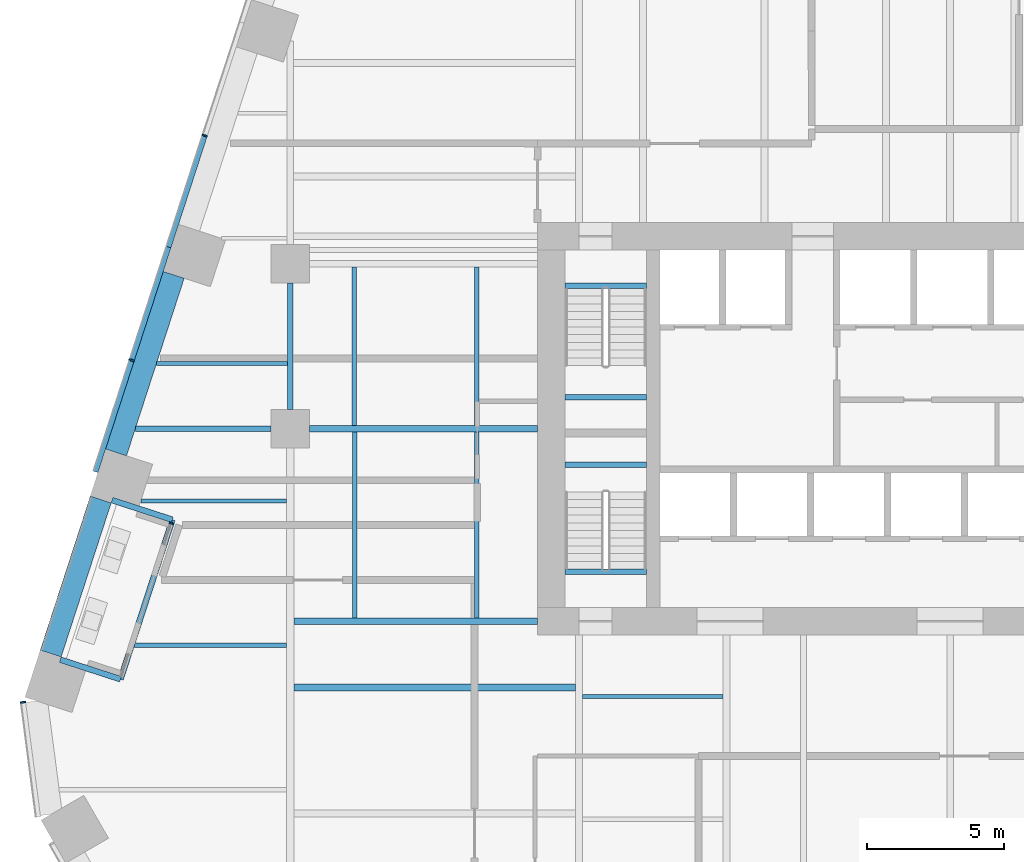
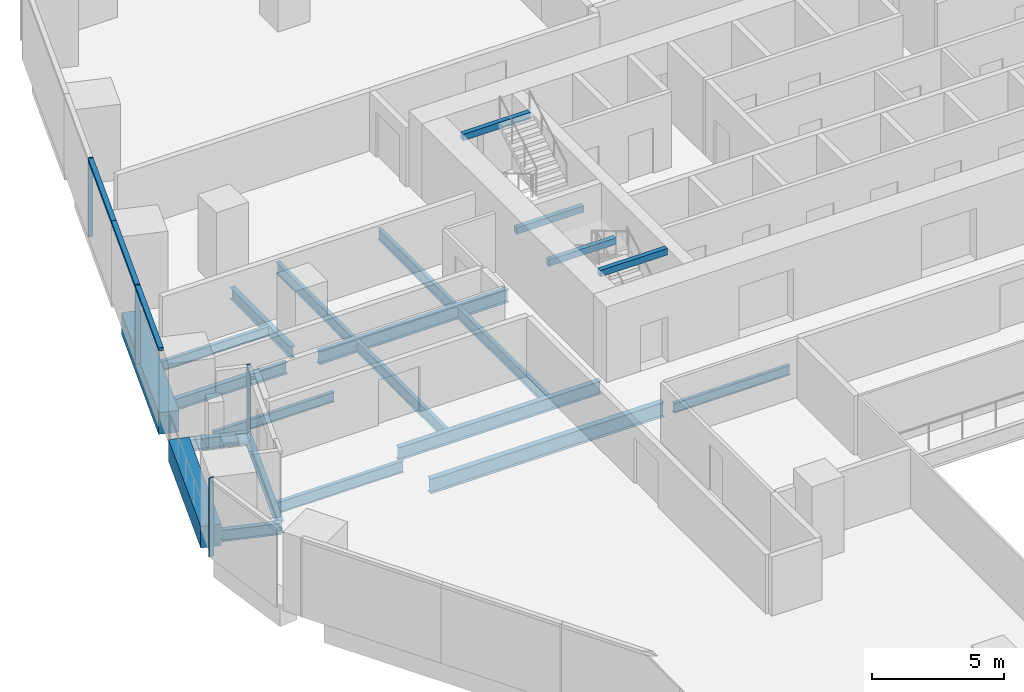
# One storey, part 9 of 31: 22 beams, 7 members, 3 elements without a shape of their own.
"""IFC4 building model written with IfcOpenShell, lengths in metres."""

from ifc_helpers import new_model, si_unit, direction, frame, origin, origin_2d, place, context, subcontext, project, spatial, rectangle, i_section, extrude, material, layer, layer_set, material_profile, profile_set, type_object, element, aggregate, save


model = new_model("IFC4")

# Units and contexts
model_context = context("Model", 3, precision=1e-05, world=origin(), true_north=direction((0.0, 1.0)))
body_context = subcontext(model_context, "Body", "Model", "MODEL_VIEW")
ifc_project = project(units=[si_unit("LENGTHUNIT", "METRE"), si_unit("AREAUNIT", "SQUARE_METRE"), si_unit("VOLUMEUNIT", "CUBIC_METRE"), si_unit("PLANEANGLEUNIT", "RADIAN"), si_unit("MASSUNIT", "GRAM", prefix="KILO")], contexts=[model_context])

# Site, building, storey
site_placement = place(None, origin())
site = spatial("IfcSite", under=ifc_project, at=site_placement, CompositionType="ELEMENT")
building_placement = place(site_placement, origin())
building = spatial("IfcBuilding", under=site, at=building_placement, Name="Isthmus Gate Tower", CompositionType="ELEMENT")
storey_placement = place(building_placement, frame((0.0, 0.0, 54.25)))
storey = spatial("IfcBuildingStorey", under=building, at=storey_placement, Name="L11", CompositionType="ELEMENT", Elevation=54.25)

# Curtain wall, members
ifc_material_1 = material(Name="Aluminium, pale champagne anodised", Category="aluminium")
ifc_layer_1 = layer(ifc_material_1, 0.199951171875)
ifc_layer_set_1 = layer_set([ifc_layer_1], Name="CW-1 UNITISED CURTAIN WALL 200 DEEP")
curtain_wall_type_1 = type_object("IfcCurtainWallType", Name="CW-1 UNITISED CURTAIN WALL 200 DEEP", PredefinedType="NOTDEFINED", material=ifc_layer_set_1)
curtain_wall_1_placement = place(storey_placement, origin())
curtain_wall_1 = element("IfcCurtainWall", 1, at=curtain_wall_1_placement, inside=storey, type_object=curtain_wall_type_1, Name="CW-1 NW L11", PredefinedType="NOTDEFINED")
ifc_material_2 = material(Name="Aluminium, pale champagne anodised", Category="aluminium")
ifc_material_profile_1 = material_profile(ifc_material_2, rectangle(XDim=0.06005859375, YDim=0.199951171875, at=origin_2d()), Name="60x200")
ifc_profile_set_1 = profile_set([ifc_material_profile_1], Name="Aluminium, pale champagne anodised")
member_type_1 = type_object("IfcMemberType", Name="CW-1 MULLION 60 X 200", PredefinedType="MULLION", material=ifc_profile_set_1)
member_1_placement = place(storey_placement, frame((-27.11474609375, 18.163818359375, 0.0), z_axis=(0.0, 0.0, 1.0), x_axis=(-0.309016994375, -0.951056516295, 0.0)))
member_1 = element("IfcMember", 2, at=member_1_placement, type_object=member_type_1, Name="CW-1 mullion", PredefinedType="MULLION", context=body_context, shape_type="SweptSolid", body=[
    extrude(rectangle(XDim=0.06005859375, YDim=0.199951171875, at=origin_2d()), origin(), (0.0, 0.0, 1.0), 3.64990234375),
])
member_2_placement = place(storey_placement, frame((-29.76904296875, 9.994873046875, 0.0), z_axis=(0.0, 0.0, 1.0), x_axis=(-0.309016994375, -0.951056516295, 0.0)))
member_2 = element("IfcMember", 3, at=member_2_placement, type_object=member_type_1, Name="CW-1 mullion", PredefinedType="MULLION", context=body_context, shape_type="SweptSolid", body=[
    extrude(rectangle(XDim=0.06005859375, YDim=0.199951171875, at=origin_2d()), origin(), (0.0, 0.0, 1.0), 3.64990234375),
])

# Curtain wall, member
curtain_wall_2_placement = place(storey_placement, origin())
curtain_wall_2 = element("IfcCurtainWall", 4, at=curtain_wall_2_placement, inside=storey, type_object=curtain_wall_type_1, Name="CW-1 NW-SW L11", PredefinedType="NOTDEFINED")
member_3_placement = place(storey_placement, frame((-33.722900390625, -2.44482421875, 0.0), z_axis=(0.0, 0.0, 1.0), x_axis=(0.129164534, -0.991623175988, 0.0)))
member_3 = element("IfcMember", 5, at=member_3_placement, type_object=member_type_1, Name="CW-1 mullion", PredefinedType="MULLION", context=body_context, shape_type="SweptSolid", body=[
    extrude(rectangle(XDim=0.06005859375, YDim=0.199951171875, at=origin_2d()), origin(), (0.0, 0.0, 1.0), 3.64990234375),
])
aggregate(curtain_wall_2, [member_3])

# Member
ifc_material_3 = material(Name="Aluminium, pale champagne anodised", Category="aluminium")
ifc_material_profile_2 = material_profile(ifc_material_3, rectangle(XDim=0.199951171875, YDim=0.14990234375, at=origin_2d()), Name="200x150")
ifc_profile_set_2 = profile_set([ifc_material_profile_2], Name="Aluminium, pale champagne anodised")
member_type_2 = type_object("IfcMemberType", Name="CW-1 TRANSOM 200 X 150", PredefinedType="USERDEFINED", material=ifc_profile_set_2)
member_4_placement = place(storey_placement, frame((-27.1240234375, 18.13525390625, 3.574951171875), z_axis=(-0.309023496777, -0.951054403512, 0.0), x_axis=(0.951054403512, -0.309023496777, 0.0)))
member_4 = element("IfcMember", 6, at=member_4_placement, type_object=member_type_2, Name="CW-1 transom", ObjectType="TRANSOM", PredefinedType="USERDEFINED", context=body_context, shape_type="SweptSolid", body=[
    extrude(rectangle(XDim=0.199951171875, YDim=0.14990234375, at=origin_2d()), origin(), (0.0, 0.0, 1.0), 4.234619140625),
])

member_5_placement = place(storey_placement, frame((-28.4326171875, 14.10791015625, 3.574951171875), z_axis=(-0.309021801109, -0.951054954479, 0.0), x_axis=(0.951054954479, -0.309021801109, 0.0)))
member_5 = element("IfcMember", 7, at=member_5_placement, type_object=member_type_2, Name="CW-1 transom", ObjectType="TRANSOM", PredefinedType="USERDEFINED", context=body_context, shape_type="SweptSolid", body=[
    extrude(rectangle(XDim=0.199951171875, YDim=0.14990234375, at=origin_2d()), origin(), (0.0, 0.0, 1.0), 4.294677734375),
])

member_6_placement = place(storey_placement, frame((-29.7783203125, 9.96630859375, 3.574951171875), z_axis=(-0.309023496777, -0.951054403512, 0.0), x_axis=(0.951054403512, -0.309023496777, 0.0)))
member_6 = element("IfcMember", 8, at=member_6_placement, type_object=member_type_2, Name="CW-1 transom", ObjectType="TRANSOM", PredefinedType="USERDEFINED", context=body_context, shape_type="SweptSolid", body=[
    extrude(rectangle(XDim=0.199951171875, YDim=0.14990234375, at=origin_2d()), origin(), (0.0, 0.0, 1.0), 4.234619140625),
])

aggregate(curtain_wall_1, [member_1, member_4, member_5, member_2, member_6])

# Curtain wall, member
ifc_material_4 = material(Name="Aluminium, pale champagne anodised", Category="aluminium")
ifc_layer_2 = layer(ifc_material_4, 0.14990234375)
ifc_layer_set_2 = layer_set([ifc_layer_2], Name="CW-6 LOGGIA BACK WALL GLAZING 150 DEEP")
curtain_wall_type_2 = type_object("IfcCurtainWallType", Name="CW-6 LOGGIA BACK WALL GLAZING 150 DEEP", PredefinedType="NOTDEFINED", material=ifc_layer_set_2)
curtain_wall_3_placement = place(storey_placement, origin())
curtain_wall_3 = element("IfcCurtainWall", 9, at=curtain_wall_3_placement, inside=storey, type_object=curtain_wall_type_2, Name="CW-6 NW L11", PredefinedType="NOTDEFINED")
ifc_material_5 = material(Name="Aluminium, pale champagne anodised", Category="aluminium")
ifc_material_profile_3 = material_profile(ifc_material_5, rectangle(XDim=0.06005859375, YDim=0.14990234375, at=origin_2d()), Name="60x150")
ifc_profile_set_3 = profile_set([ifc_material_profile_3], Name="Aluminium, pale champagne anodised")
member_type_3 = type_object("IfcMemberType", Name="CW-6 MULLION 60 X 150", PredefinedType="MULLION", material=ifc_profile_set_3)
member_7_placement = place(storey_placement, frame((-28.3310546875, 4.065673828125, 0.0), z_axis=(0.0, 0.0, 1.0), x_axis=(-0.309016994375, -0.951056516295, 0.0)))
member_7 = element("IfcMember", 10, at=member_7_placement, type_object=member_type_3, Name="CW-6 mullion", PredefinedType="MULLION", context=body_context, shape_type="SweptSolid", body=[
    extrude(rectangle(XDim=0.06005859375, YDim=0.14990234375, at=origin_2d()), origin(), (0.0, 0.0, 1.0), 3.050048828125),
])
aggregate(curtain_wall_3, [member_7])

# Beams
ifc_material_6 = material(Name="Concrete f'c 70 MPa", Category="concrete")
ifc_material_profile_4 = material_profile(ifc_material_6, rectangle(XDim=0.800048828125, YDim=1.0, at=origin_2d()), Name="RC 800X1000")
ifc_profile_set_4 = profile_set([ifc_material_profile_4], Name="Concrete f'c 70 MPa")
beam_type_1 = type_object("IfcBeamType", Name="RC SPANDREL 800 X 1000", PredefinedType="SPANDREL", material=ifc_profile_set_4)
beam_1_placement = place(storey_placement, frame((-32.70947265625, -0.672607421875, -0.5), z_axis=(0.309005457803, 0.951060264677, 0.0), x_axis=(-0.951060264677, 0.309005457803, 0.0)))
element("IfcBeam", 11, at=beam_1_placement, inside=storey, type_object=beam_type_1, Name="str-spandrel-L11-18", PredefinedType="SPANDREL", context=body_context, shape_type="SweptSolid", body=[
    extrude(rectangle(XDim=0.800048828125, YDim=1.0, at=origin_2d()), origin(), (0.0, 0.0, 1.0), 5.889404296875),
])
beam_2_placement = place(storey_placement, frame((-30.333251953125, 6.640380859375, -0.5), z_axis=(0.30900150794, 0.951061548004, 0.0), x_axis=(-0.951061548004, 0.30900150794, 0.0)))
element("IfcBeam", 12, at=beam_2_placement, inside=storey, type_object=beam_type_1, Name="str-spandrel-L11-19", PredefinedType="SPANDREL", context=body_context, shape_type="SweptSolid", body=[
    extrude(rectangle(XDim=0.800048828125, YDim=1.0, at=origin_2d()), origin(), (0.0, 0.0, 1.0), 6.789306640625),
])
ifc_material_7 = material(Name="Concrete f'c 40 MPa", Category="concrete")
ifc_material_profile_5 = material_profile(ifc_material_7, rectangle(XDim=0.199951171875, YDim=0.300048828125, at=origin_2d()), Name="STAIR LANDING BEAM RC 200 X 300")
ifc_profile_set_5 = profile_set([ifc_material_profile_5], Name="Concrete f'c 40 MPa")
beam_type_2 = type_object("IfcBeamType", Name="STAIR LANDING BEAM RC 200 X 300", PredefinedType="BEAM", material=ifc_profile_set_5)
for number, where, z_axis, x_axis, name in (
    (13, (-14.0, 8.64990234375, 1.47509765625), (1.0, 0.0, 0.0), (0.0, 1.0, 0.0), "L11 ST1 landing beam 1"),
    (14, (-14.0, 12.7001953125, 3.35009765625), (1.0, 0.0, 0.0), (0.0, 1.0, 0.0), "L11 ST1 floor-edge seat beam"),
    (15, (-14.0, 6.199951171875, 1.47509765625), (1.0, 0.0, 0.0), (0.0, 1.0, 0.0), "L11 ST7 landing beam 1"),
    (16, (-14.0, 2.2998046875, 3.35009765625), (1.0, 0.0, 0.0), (0.0, 1.0, 0.0), "L11 ST7 floor-edge seat beam"),
):
    element("IfcBeam", number, at=place(storey_placement, frame(where, z_axis=z_axis, x_axis=x_axis)), inside=storey, type_object=beam_type_2, Name=name, PredefinedType="BEAM", context=body_context, shape_type="SweptSolid", body=[
        extrude(rectangle(XDim=0.199951171875, YDim=0.300048828125, at=origin_2d()), origin(), (0.0, 0.0, 1.0), 2.949951171875),
    ])
ifc_material_8 = material(Name="Structural steel ASTM A992 Gr 50", Category="steel")
ifc_material_profile_6 = material_profile(ifc_material_8, i_section(OverallWidth=0.15234375, OverallDepth=0.45068359375, WebThickness=0.0078125, FlangeThickness=0.010986328125, at=origin_2d()), Name="W18X35")
ifc_profile_set_6 = profile_set([ifc_material_profile_6], Name="Structural steel ASTM A992 Gr 50")
beam_type_3 = type_object("IfcBeamType", Name="STEEL FLOOR BEAM W18X35", PredefinedType="JOIST", material=ifc_profile_set_6)
beam_3_placement = place(storey_placement, frame((-29.434814453125, 4.875, -0.37548828125), z_axis=(1.0, 0.0, 0.0), x_axis=(0.0, 1.0, 0.0)))
element("IfcBeam", 17, at=beam_3_placement, inside=storey, type_object=beam_type_3, Name="str-beam-L11-01-03", PredefinedType="JOIST", context=body_context, shape_type="SweptSolid", body=[
    extrude(i_section(OverallWidth=0.15234375, OverallDepth=0.45068359375, WebThickness=0.0078125, FlangeThickness=0.010986328125, at=origin_2d()), origin(), (0.0, 0.0, 1.0), 5.301513671875),
])
beam_4_placement = place(storey_placement, frame((-28.860595703125, 9.87890625, -0.37548828125), z_axis=(1.0, 0.0, 0.0), x_axis=(0.0, 1.0, 0.0)))
element("IfcBeam", 18, at=beam_4_placement, inside=storey, type_object=beam_type_3, Name="str-beam-L11-02-00", PredefinedType="JOIST", context=body_context, shape_type="SweptSolid", body=[
    extrude(i_section(OverallWidth=0.15234375, OverallDepth=0.45068359375, WebThickness=0.0078125, FlangeThickness=0.010986328125, at=origin_2d()), origin(), (0.0, 0.0, 1.0), 4.755859375),
])
beam_5_placement = place(storey_placement, frame((-13.3681640625, -2.232421875, -0.37548828125), z_axis=(1.0, 0.0, 0.0), x_axis=(0.0, 1.0, 0.0)))
element("IfcBeam", 19, at=beam_5_placement, inside=storey, type_object=beam_type_3, Name="str-beam-L11-13-02", PredefinedType="JOIST", context=body_context, shape_type="SweptSolid", body=[
    extrude(i_section(OverallWidth=0.15234375, OverallDepth=0.45068359375, WebThickness=0.0078125, FlangeThickness=0.010986328125, at=origin_2d()), origin(), (0.0, 0.0, 1.0), 5.1015625),
])
ifc_material_9 = material(Name="Structural steel ASTM A992 Gr 50", Category="steel")
ifc_material_profile_7 = material_profile(ifc_material_9, i_section(OverallWidth=0.1650390625, OverallDepth=0.52392578125, WebThickness=0.009521484375, FlangeThickness=0.010986328125, at=origin_2d()), Name="W21X44")
ifc_profile_set_7 = profile_set([ifc_material_profile_7], Name="Structural steel ASTM A992 Gr 50")
beam_type_4 = type_object("IfcBeamType", Name="STEEL FLOOR BEAM W21X44", PredefinedType="JOIST", material=ifc_profile_set_7)
beam_6_placement = place(storey_placement, frame((-29.65869140625, -0.375, -0.411865234375), z_axis=(1.0, 0.0, 0.0), x_axis=(0.0, 1.0, 0.0)))
element("IfcBeam", 20, at=beam_6_placement, inside=storey, type_object=beam_type_4, Name="str-beam-L11-01-02", PredefinedType="JOIST", context=body_context, shape_type="SweptSolid", body=[
    extrude(i_section(OverallWidth=0.1650390625, OverallDepth=0.52392578125, WebThickness=0.009521484375, FlangeThickness=0.010986328125, at=origin_2d()), origin(), (0.0, 0.0, 1.0), 5.525390625),
])
for number, where, z_axis, x_axis, name in (
    (21, (-21.64990234375, 0.6142578125, -0.411865234375), (0.0, 1.0, 0.0), (-1.0, 0.0, 0.0), "str-beam-L11-03-00"),
    (22, (-17.216552734375, 0.6142578125, -0.411865234375), (0.0, 1.0, 0.0), (-1.0, 0.0, 0.0), "str-beam-L11-03-01"),
):
    element("IfcBeam", number, at=place(storey_placement, frame(where, z_axis=z_axis, x_axis=x_axis)), inside=storey, type_object=beam_type_4, Name=name, PredefinedType="JOIST", context=body_context, shape_type="SweptSolid", body=[
        extrude(i_section(OverallWidth=0.1650390625, OverallDepth=0.52392578125, WebThickness=0.009521484375, FlangeThickness=0.010986328125, at=origin_2d()), origin(), (0.0, 0.0, 1.0), 6.771484375),
    ])
for number, where, z_axis, x_axis, name in (
    (23, (-21.67138671875, 7.6142578125, -0.411865234375), (0.0, 1.0, 0.0), (-1.0, 0.0, 0.0), "str-beam-L11-04-00"),
    (24, (-17.223876953125, 7.6142578125, -0.411865234375), (0.0, 1.0, 0.0), (-1.0, 0.0, 0.0), "str-beam-L11-04-01"),
):
    element("IfcBeam", number, at=place(storey_placement, frame(where, z_axis=z_axis, x_axis=x_axis)), inside=storey, type_object=beam_type_4, Name=name, PredefinedType="JOIST", context=body_context, shape_type="SweptSolid", body=[
        extrude(i_section(OverallWidth=0.1650390625, OverallDepth=0.52392578125, WebThickness=0.009521484375, FlangeThickness=0.010986328125, at=origin_2d()), origin(), (0.0, 0.0, 1.0), 5.771484375),
    ])
ifc_material_10 = material(Name="Structural steel ASTM A992 Gr 50", Category="steel")
ifc_material_profile_8 = material_profile(ifc_material_10, i_section(OverallWidth=0.25390625, OverallDepth=0.679443359375, WebThickness=0.010986328125, FlangeThickness=0.015869140625, at=origin_2d()), Name="W27X84")
ifc_profile_set_8 = profile_set([ifc_material_profile_8], Name="Structural steel ASTM A992 Gr 50")
beam_type_5 = type_object("IfcBeamType", Name="STEEL FLOOR BEAM W27X84", PredefinedType="JOIST", material=ifc_profile_set_8)
beam_7_placement = place(storey_placement, frame((-23.86669921875, -1.90625, -0.48974609375), z_axis=(1.0, 0.0, 0.0), x_axis=(0.0, 1.0, 0.0)))
element("IfcBeam", 25, at=beam_7_placement, inside=storey, type_object=beam_type_5, Name="str-beam-L11-08-02", PredefinedType="JOIST", context=body_context, shape_type="SweptSolid", body=[
    extrude(i_section(OverallWidth=0.25390625, OverallDepth=0.679443359375, WebThickness=0.010986328125, FlangeThickness=0.015869140625, at=origin_2d()), origin(), (0.0, 0.0, 1.0), 10.23486328125),
])
ifc_material_11 = material(Name="Structural steel ASTM A992 Gr 50", Category="steel")
ifc_material_profile_9 = material_profile(ifc_material_11, i_section(OverallWidth=0.20947265625, OverallDepth=0.533447265625, WebThickness=0.009521484375, FlangeThickness=0.015869140625, at=origin_2d()), Name="W21X62")
ifc_profile_set_9 = profile_set([ifc_material_profile_9], Name="Structural steel ASTM A992 Gr 50")
beam_type_6 = type_object("IfcBeamType", Name="STEEL GIRDER W21X62", PredefinedType="BEAM", material=ifc_profile_set_9)
beam_8_placement = place(storey_placement, frame((-29.633544921875, 7.5, -0.416748046875), z_axis=(1.0, 0.0, 0.0), x_axis=(0.0, 1.0, 0.0)))
element("IfcBeam", 26, at=beam_8_placement, inside=storey, type_object=beam_type_6, Name="str-girder-L11-09", PredefinedType="BEAM", context=body_context, shape_type="SweptSolid", body=[
    extrude(i_section(OverallWidth=0.20947265625, OverallDepth=0.533447265625, WebThickness=0.009521484375, FlangeThickness=0.015869140625, at=origin_2d()), origin(), (0.0, 0.0, 1.0), 4.93359375),
])
beam_9_placement = place(storey_placement, frame((-24.0, 8.199951171875, -0.416748046875), z_axis=(0.0, 1.0, 0.0), x_axis=(-1.0, 0.0, 0.0)))
element("IfcBeam", 27, at=beam_9_placement, inside=storey, type_object=beam_type_6, Name="str-girder-L11-21", PredefinedType="BEAM", context=body_context, shape_type="SweptSolid", body=[
    extrude(i_section(OverallWidth=0.20947265625, OverallDepth=0.533447265625, WebThickness=0.009521484375, FlangeThickness=0.015869140625, at=origin_2d()), origin(), (0.0, 0.0, 1.0), 4.60009765625),
])
ifc_material_12 = material(Name="Structural steel ASTM A992 Gr 50", Category="steel")
ifc_material_profile_10 = material_profile(ifc_material_12, i_section(OverallWidth=0.228515625, OverallDepth=0.6064453125, WebThickness=0.010986328125, FlangeThickness=0.017578125, at=origin_2d()), Name="W24X76")
ifc_profile_set_10 = profile_set([ifc_material_profile_10], Name="Structural steel ASTM A992 Gr 50")
beam_type_7 = type_object("IfcBeamType", Name="STEEL GIRDER W24X76", PredefinedType="BEAM", material=ifc_profile_set_10)
beam_10_placement = place(storey_placement, frame((-23.300048828125, 7.5, -0.453125), z_axis=(1.0, 0.0, 0.0), x_axis=(0.0, 1.0, 0.0)))
element("IfcBeam", 28, at=beam_10_placement, inside=storey, type_object=beam_type_7, Name="str-girder-L11-10", PredefinedType="BEAM", context=body_context, shape_type="SweptSolid", body=[
    extrude(i_section(OverallWidth=0.228515625, OverallDepth=0.6064453125, WebThickness=0.010986328125, FlangeThickness=0.017578125, at=origin_2d()), origin(), (0.0, 0.0, 1.0), 8.300048828125),
])
beam_11_placement = place(storey_placement, frame((-15.0, 0.5, -0.453125), z_axis=(-1.0, 0.0, 0.0), x_axis=(0.0, -1.0, 0.0)))
element("IfcBeam", 29, at=beam_11_placement, inside=storey, type_object=beam_type_7, Name="str-girder-L11-38", PredefinedType="BEAM", context=body_context, shape_type="SweptSolid", body=[
    extrude(i_section(OverallWidth=0.228515625, OverallDepth=0.6064453125, WebThickness=0.010986328125, FlangeThickness=0.017578125, at=origin_2d()), origin(), (0.0, 0.0, 1.0), 8.86669921875),
])
ifc_material_13 = material(Name="Structural steel ASTM A992 Gr 50", Category="steel")
ifc_material_profile_11 = material_profile(ifc_material_13, i_section(OverallWidth=0.20947265625, OverallDepth=0.533447265625, WebThickness=0.009521484375, FlangeThickness=0.015869140625, at=origin_2d()), Name="W21X62")
ifc_profile_set_11 = profile_set([ifc_material_profile_11], Name="Structural steel ASTM A992 Gr 50")
beam_type_8 = type_object("IfcBeamType", Name="STEEL TRIMMER W21X62", PredefinedType="BEAM", material=ifc_profile_set_11)
beam_12_placement = place(storey_placement, frame((-28.284912109375, 4.1923828125, -0.416748046875), z_axis=(-0.309000984958, -0.951061717921, 0.0), x_axis=(0.951061717921, -0.309000984958, 0.0)))
element("IfcBeam", 30, at=beam_12_placement, inside=storey, type_object=beam_type_8, Name="str-loggiatrim-L11-02-B", PredefinedType="BEAM", context=body_context, shape_type="SweptSolid", body=[
    extrude(i_section(OverallWidth=0.20947265625, OverallDepth=0.533447265625, WebThickness=0.009521484375, FlangeThickness=0.015869140625, at=origin_2d()), origin(), (0.0, 0.0, 1.0), 6.098876953125),
])
for number, where, z_axis, x_axis, name in (
    (31, (-30.476806640625, 4.904541015625, -0.416748046875), (0.951060533358, -0.309004630854, 0.0), (0.309004630854, 0.951060533358, 0.0), "str-loggiatrim-L11-02-A"),
    (32, (-32.361328125, -0.895751953125, -0.416748046875), (0.951060533358, -0.309004630854, 0.0), (0.309004630854, 0.951060533358, 0.0), "str-loggiatrim-L11-02-C"),
):
    element("IfcBeam", number, at=place(storey_placement, frame(where, z_axis=z_axis, x_axis=x_axis)), inside=storey, type_object=beam_type_8, Name=name, PredefinedType="BEAM", context=body_context, shape_type="SweptSolid", body=[
        extrude(i_section(OverallWidth=0.20947265625, OverallDepth=0.533447265625, WebThickness=0.009521484375, FlangeThickness=0.015869140625, at=origin_2d()), origin(), (0.0, 0.0, 1.0), 2.3046875),
    ])

save(model, "model.ifc")
